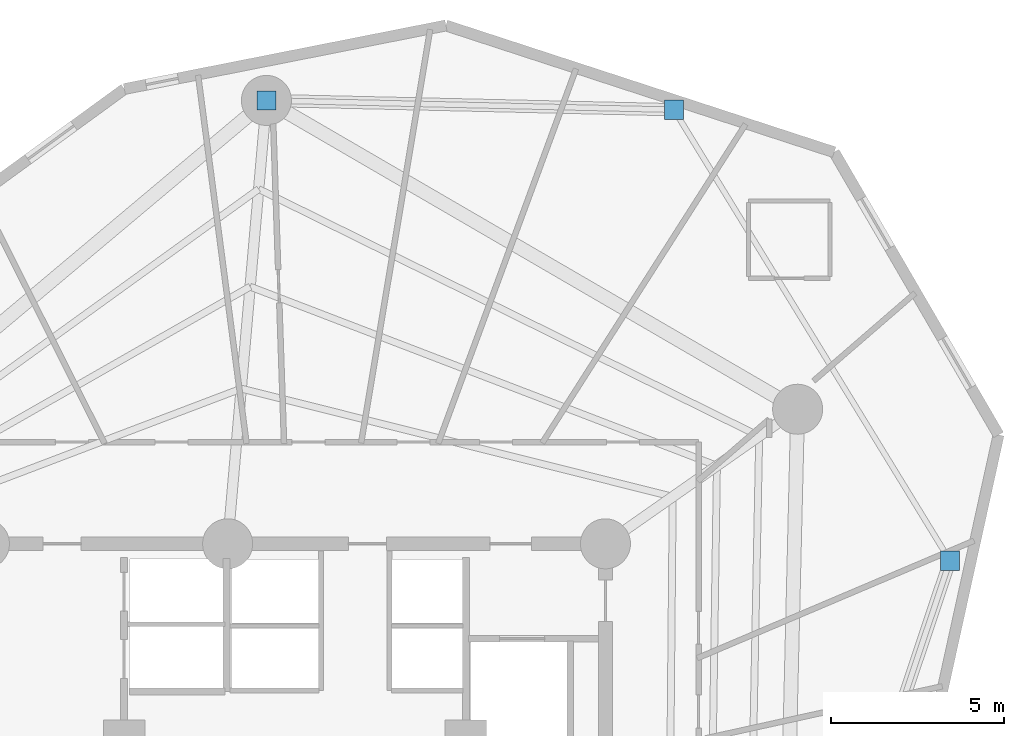
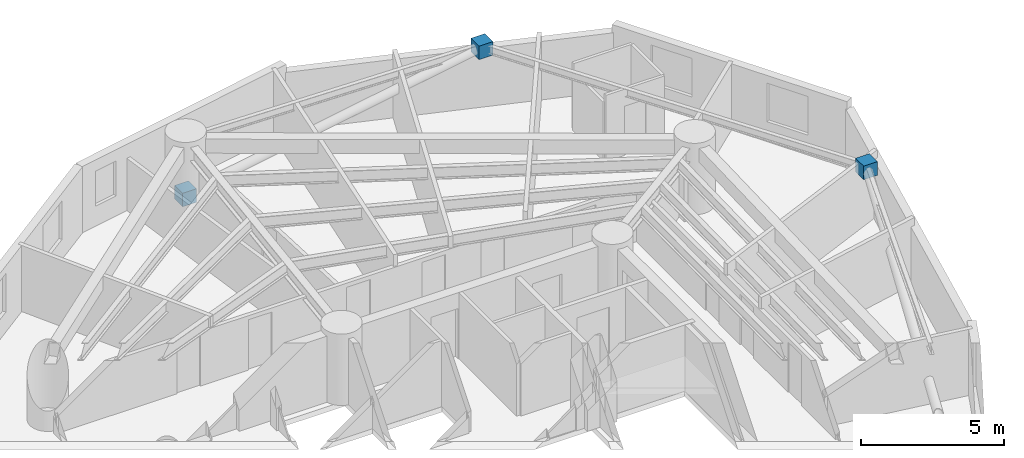
# One storey, part 7 of 8: 3 discrete accessories.
"""IFC4 building model written with IfcOpenShell, lengths in metres."""

from ifc_helpers import new_model, si_unit, direction, frame, origin, origin_with_axes, origin_2d, place, context, subcontext, project, spatial, rectangle, extrude, source, transform, mapped, material, type_object, element, save


model = new_model("IFC4")

# Units and contexts
model_context = context("Model", 3, precision=1e-05, world=origin(), true_north=direction((0.0, 1.0)))
body_context = subcontext(model_context, "Body", "Model", "MODEL_VIEW")
ifc_project = project(units=[si_unit("LENGTHUNIT", "METRE"), si_unit("AREAUNIT", "SQUARE_METRE"), si_unit("VOLUMEUNIT", "CUBIC_METRE"), si_unit("PLANEANGLEUNIT", "RADIAN"), si_unit("MASSUNIT", "GRAM", prefix="KILO")], contexts=[model_context])

# Site, building, storey
site_placement = place(None, origin())
site = spatial("IfcSite", under=ifc_project, at=site_placement, CompositionType="ELEMENT")
building_placement = place(site_placement, origin())
building = spatial("IfcBuilding", under=site, at=building_placement, Name="Karkom Vertical University and Central Library", CompositionType="ELEMENT")
storey_placement = place(building_placement, frame((0.0, 0.0, 126.699951171875)))
storey = spatial("IfcBuildingStorey", under=building, at=storey_placement, Name="L35", CompositionType="ELEMENT", Elevation=126.699951171875)

# Discrete accessories
ifc_material = material(Name="Ductile cast iron EN-GJS-400-15", Category="metal")
discrete_accessory_type = type_object("IfcDiscreteAccessoryType", Name="STR-ACC-NODECAP", PredefinedType="BRACKET", material=ifc_material)
shared_shape = source(origin_with_axes(), body_context, "Body", "SweptSolid", [
    extrude(rectangle(XDim=0.56005859375, YDim=0.56005859375, at=origin_2d()), origin(), (0.0, 0.0, 1.0), 0.580078125),
])
for number, where, z_axis, x_axis, name in (
    (1, (47.48486328125, 34.213134765625, 2.3701171875), (0.0, 0.0, 1.0), (1.0, 0.0, 0.0), "Level 35 Cast Node Connector L35-SKG-KNEE-1 B"),
    (2, (27.674072265625, 47.551025390625, 0.06005859375), (0.0, 0.0, 1.0), (1.0, 0.0, 0.0), "Level 35 Cast Node Connector L35-SKG-KNEE-2 A"),
    (3, (39.4853515625, 47.28076171875, 2.3701171875), (0.0, 0.0, 1.0), (1.0, 0.0, 0.0), "Level 35 Cast Node Connector L35-SKG-KNEE-2 B"),
):
    element("IfcDiscreteAccessory", number, at=place(storey_placement, frame(where, z_axis=z_axis, x_axis=x_axis)), inside=storey, type_object=discrete_accessory_type, Name=name, PredefinedType="BRACKET", context=body_context, shape_type="MappedRepresentation", body=[
        mapped(shared_shape, transform((0.0, 0.0, 0.0), scale=1.0)),
    ])

save(model, "model.ifc")
